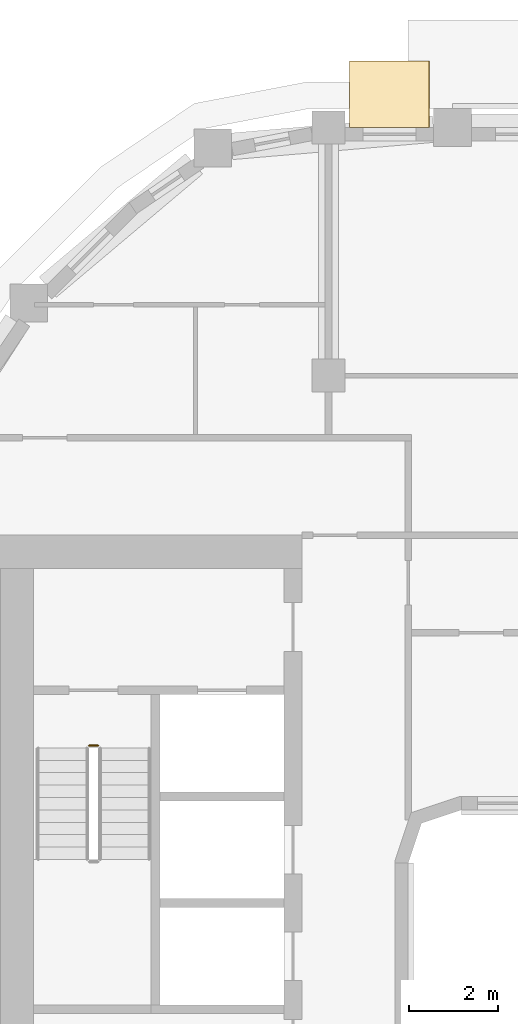
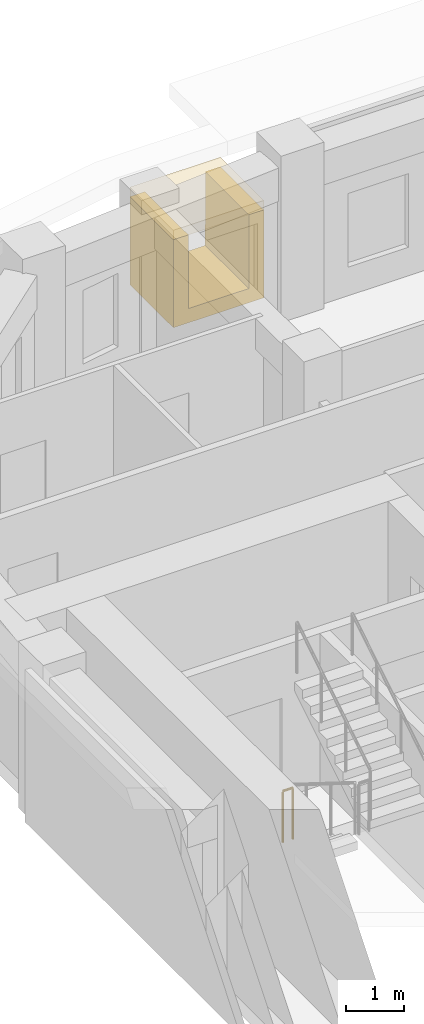
# One storey, part 19 of 21: 2 coverings, 1 railing.
"""IFC4 building model written with IfcOpenShell, lengths in metres."""

from ifc_helpers import new_model, si_unit, direction, frame, origin, origin_2d, place, context, subcontext, project, spatial, polyline, rectangle, circle, outline, extrude, material, layer, layer_set, type_object, element, save


model = new_model("IFC4")

# Units and contexts
model_context = context("Model", 3, precision=1e-05, world=origin(), true_north=direction((0.0, 1.0)))
body_context = subcontext(model_context, "Body", "Model", "MODEL_VIEW")
ifc_project = project(units=[si_unit("LENGTHUNIT", "METRE"), si_unit("AREAUNIT", "SQUARE_METRE"), si_unit("VOLUMEUNIT", "CUBIC_METRE"), si_unit("PLANEANGLEUNIT", "RADIAN"), si_unit("MASSUNIT", "GRAM", prefix="KILO")], contexts=[model_context])

# Site, building, storey
site_placement = place(None, origin())
site = spatial("IfcSite", under=ifc_project, at=site_placement, CompositionType="ELEMENT")
building_placement = place(site_placement, origin())
building = spatial("IfcBuilding", under=site, at=building_placement, Name="Kiln Ring Residences", CompositionType="ELEMENT")
storey_placement = place(building_placement, frame((0.0, 0.0, 220.39990234375)))
storey = spatial("IfcBuildingStorey", under=building, at=storey_placement, Name="L57", CompositionType="ELEMENT", Elevation=220.39990234375)

# Railing
ifc_material_1 = material(Name="Stainless steel", Category="steel")
railing_type = type_object("IfcRailingType", Name="CORE-STAIR-GUARD", PredefinedType="GUARDRAIL", material=ifc_material_1)
railing_placement = place(storey_placement, frame((-22.199951171875, 8.449951171875, 0.0)))
element("IfcRailing", 1, at=railing_placement, inside=storey, type_object=railing_type, Name="L57 W-STN stair guard 4", PredefinedType="GUARDRAIL", context=body_context, shape_type="SweptSolid", body=[
    extrude(circle(Radius=0.02392578125, at=origin_2d()), frame((0.0, 0.0, 1.076171875), z_axis=(1.0, 0.0, 0.0), x_axis=(0.0, 1.0, 0.0)), (0.0, 0.0, 1.0), 0.199951171875),
    extrude(circle(Radius=0.02099609375, at=origin_2d()), origin(), (0.0, 0.0, 1.0), 1.052001953125),
    extrude(circle(Radius=0.02099609375, at=origin_2d()), frame((0.199951171875, 0.0, 0.0)), (0.0, 0.0, 1.0), 1.052001953125),
])

# Coverings
ifc_material_2 = material(Name="Brick masonry, dark clay brick", Category="masonry")
ifc_layer_1 = layer(ifc_material_2, 0.300048828125)
ifc_layer_set_1 = layer_set([ifc_layer_1], Name="FRAME CHEEKS AND SILL 1500")
covering_type_1 = type_object("IfcCoveringType", Name="FRAME CHEEKS AND SILL 1500", PredefinedType="CLADDING", material=ifc_layer_set_1)
covering_1_placement = place(storey_placement, frame((-14.52490234375, 23.14990234375, 0.300048828125), z_axis=(0.0, 0.0, 1.0), x_axis=(-1.0, 0.0, 0.0)))
element("IfcCovering", 2, at=covering_1_placement, inside=storey, type_object=covering_type_1, Name="FRAME L57", PredefinedType="CLADDING", context=body_context, shape_type="SweptSolid", body=[
    extrude(outline(polyline([(0.0, 0.0), (1.800048828125, 0.0), (1.800048828125, 1.85009765625), (1.5009765625, 1.85009765625), (1.5, 0.300048828125), (0.300048828125, 0.300048828125), (0.299072265625, 1.85009765625), (0.0, 1.85009765625), (0.0, 0.0)])), frame((0.0, 0.75, 0.0), z_axis=(0.0, -1.0, 0.0), x_axis=(1.0, 0.0, 0.0)), (0.0, 0.0, 1.0), 1.5),
])
ifc_material_3 = material(Name="Brick masonry, dark clay brick", Category="masonry")
ifc_layer_2 = layer(ifc_material_3, 0.199951171875)
ifc_layer_set_2 = layer_set([ifc_layer_2], Name="FRAME HEAD 1500")
covering_type_2 = type_object("IfcCoveringType", Name="FRAME HEAD 1500", PredefinedType="CLADDING", material=ifc_layer_set_2)
covering_2_placement = place(storey_placement, frame((-15.425048828125, 23.14990234375, 2.14990234375), z_axis=(0.0, 0.0, 1.0), x_axis=(-1.0, 0.0, 0.0)))
element("IfcCovering", 3, at=covering_2_placement, inside=storey, type_object=covering_type_2, Name="FRAME HEAD L57", PredefinedType="CLADDING", context=body_context, shape_type="SweptSolid", body=[
    extrude(rectangle(XDim=1.800048828125, YDim=1.5, at=origin_2d()), origin(), (0.0, 0.0, 1.0), 0.199951171875),
])

save(model, "model.ifc")
